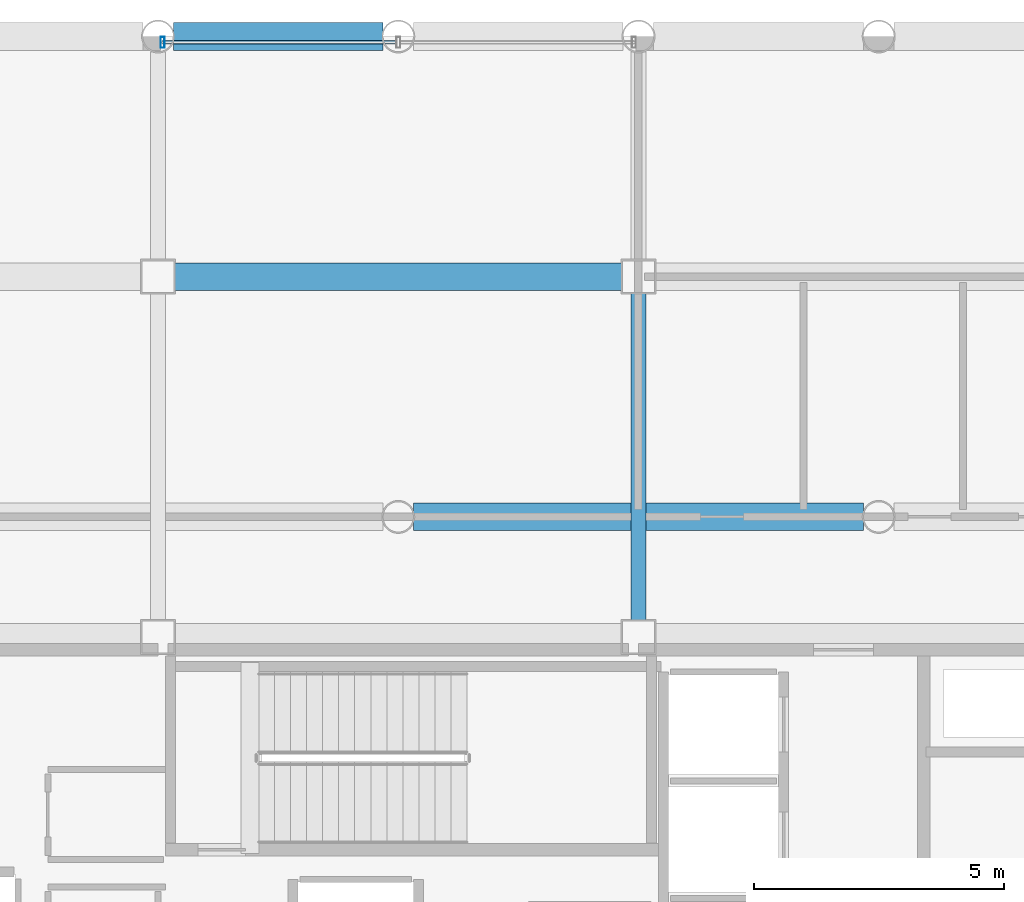
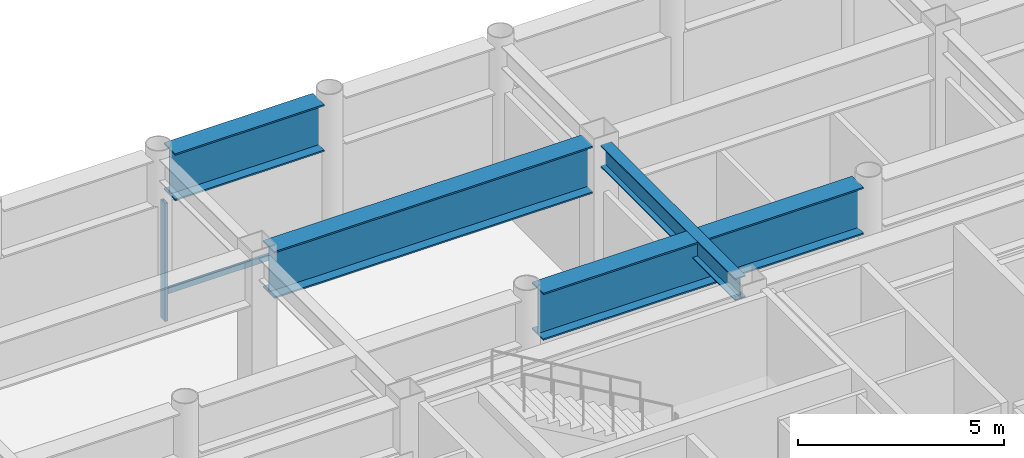
# One storey, part 11 of 20: 4 beams, 2 members, 1 element without a shape of its own.
"""IFC4 building model written with IfcOpenShell, lengths in metres."""

from ifc_helpers import new_model, si_unit, direction, frame, origin, origin_2d, place, context, subcontext, project, spatial, hollow_rectangle, i_section, extrude, material, layer, layer_set, material_profile, profile_set, type_object, element, aggregate, save


model = new_model("IFC4")

# Units and contexts
model_context = context("Model", 3, precision=1e-05, world=origin(), true_north=direction((0.0, 1.0)))
body_context = subcontext(model_context, "Body", "Model", "MODEL_VIEW")
ifc_project = project(units=[si_unit("LENGTHUNIT", "METRE"), si_unit("AREAUNIT", "SQUARE_METRE"), si_unit("VOLUMEUNIT", "CUBIC_METRE"), si_unit("PLANEANGLEUNIT", "RADIAN"), si_unit("MASSUNIT", "GRAM", prefix="KILO")], contexts=[model_context])

# Site, building, storey
site_placement = place(None, origin())
site = spatial("IfcSite", under=ifc_project, at=site_placement, CompositionType="ELEMENT")
building_placement = place(site_placement, origin())
building = spatial("IfcBuilding", under=site, at=building_placement, Name="Kallvorn Hotel Tower", CompositionType="ELEMENT")
storey_placement = place(building_placement, frame((0.0, 0.0, 180.300048828125)))
storey = spatial("IfcBuildingStorey", under=building, at=storey_placement, Name="L45", CompositionType="ELEMENT", Elevation=180.300048828125)

# Beams
ifc_material_1 = material(Name="Structural steel S355JR", Category="steel")
ifc_material_profile_1 = material_profile(ifc_material_1, i_section(OverallWidth=0.300048828125, OverallDepth=0.64990234375, WebThickness=0.01611328125, FlangeThickness=0.031005859375, at=origin_2d()), Name="HE 650 B")
ifc_profile_set_1 = profile_set([ifc_material_profile_1], Name="Structural steel S355JR")
beam_type_1 = type_object("IfcBeamType", Name="BM_HE650B", PredefinedType="BEAM", material=ifc_profile_set_1)
beam_1_placement = place(storey_placement, frame((4.800048828125, 7.52490234375, 4.625), z_axis=(0.0, 1.0, 0.0), x_axis=(-1.0, 0.0, 0.0)))
element("IfcBeam", 1, at=beam_1_placement, inside=storey, type_object=beam_type_1, Name="L46 Primary Y-Girder 117", PredefinedType="BEAM", context=body_context, shape_type="SweptSolid", body=[
    extrude(i_section(OverallWidth=0.300048828125, OverallDepth=0.64990234375, WebThickness=0.01611328125, FlangeThickness=0.031005859375, at=origin_2d()), origin(), (0.0, 0.0, 1.0), 6.550048828125),
])
ifc_material_2 = material(Name="Structural steel S355JR", Category="steel")
ifc_material_profile_2 = material_profile(ifc_material_2, i_section(OverallWidth=0.550048828125, OverallDepth=1.39990234375, WebThickness=0.02490234375, FlangeThickness=0.044921875, at=origin_2d()), Name="PG 1400x550x25x45")
ifc_profile_set_2 = profile_set([ifc_material_profile_2], Name="Structural steel S355JR")
beam_type_2 = type_object("IfcBeamType", Name="BM_PG_1400", PredefinedType="BEAM", material=ifc_profile_set_2)
beam_2_placement = place(storey_placement, frame((0.304931640625, 9.60009765625, 4.25), z_axis=(1.0, 0.0, 0.0), x_axis=(0.0, 1.0, 0.0)))
element("IfcBeam", 2, at=beam_2_placement, inside=storey, type_object=beam_type_2, Name="L46 Primary X-Girder 47", PredefinedType="BEAM", context=body_context, shape_type="SweptSolid", body=[
    extrude(i_section(OverallWidth=0.550048828125, OverallDepth=1.39990234375, WebThickness=0.02490234375, FlangeThickness=0.044921875, at=origin_2d()), origin(), (0.0, 0.0, 1.0), 8.989990234375),
])
beam_3_placement = place(storey_placement, frame((-4.47509765625, 14.39990234375, 4.25), z_axis=(1.0, 0.0, 0.0), x_axis=(0.0, 1.0, 0.0)))
element("IfcBeam", 3, at=beam_3_placement, inside=storey, type_object=beam_type_2, Name="L46 Primary X-Girder 56", PredefinedType="BEAM", context=body_context, shape_type="SweptSolid", body=[
    extrude(i_section(OverallWidth=0.550048828125, OverallDepth=1.39990234375, WebThickness=0.02490234375, FlangeThickness=0.044921875, at=origin_2d()), origin(), (0.0, 0.0, 1.0), 8.9501953125),
])
beam_4_placement = place(storey_placement, frame((-4.4951171875, 19.199951171875, 4.25), z_axis=(1.0, 0.0, 0.0), x_axis=(0.0, 1.0, 0.0)))
element("IfcBeam", 4, at=beam_4_placement, inside=storey, type_object=beam_type_2, Name="L46 Primary X-Girder 66", PredefinedType="BEAM", context=body_context, shape_type="SweptSolid", body=[
    extrude(i_section(OverallWidth=0.550048828125, OverallDepth=1.39990234375, WebThickness=0.02490234375, FlangeThickness=0.044921875, at=origin_2d()), origin(), (0.0, 0.0, 1.0), 4.190185546875),
])

# Curtain wall, members
ifc_material_3 = material(Name="Thermally broken black-anodised aluminium AA 6063-T6", Category="aluminium")
ifc_layer = layer(ifc_material_3, 0.22998046875)
ifc_layer_set = layer_set([ifc_layer], Name="CW_SYS_5_HOTEL_HIGH")
curtain_wall_type = type_object("IfcCurtainWallType", Name="CW_SYS_5_HOTEL_HIGH", PredefinedType="USERDEFINED", material=ifc_layer_set)
curtain_wall_placement = place(storey_placement, origin())
curtain_wall = element("IfcCurtainWall", 5, at=curtain_wall_placement, inside=storey, type_object=curtain_wall_type, Name="L45 Dark-Glass Curtain Wall CW-L45-NC", ObjectType="UNITISED CURTAIN WALL", PredefinedType="USERDEFINED")
ifc_material_4 = material(Name="Thermally broken black-anodised aluminium AA 6063-T6", Category="aluminium")
ifc_material_profile_3 = material_profile(ifc_material_4, hollow_rectangle(XDim=0.080078125, YDim=0.219970703125, WallThickness=0.0048828125, at=origin_2d()), Name="MUL 220x80")
ifc_profile_set_3 = profile_set([ifc_material_profile_3], Name="Thermally broken black-anodised aluminium AA 6063-T6")
member_type_1 = type_object("IfcMemberType", Name="CW_MULLION_220x80", PredefinedType="MULLION", material=ifc_profile_set_3)
member_1_placement = place(storey_placement, frame((-4.7099609375, 19.080078125, 0.02001953125), z_axis=(0.0, 0.0, 1.0), x_axis=(1.0, 0.0, 0.0)))
member_1 = element("IfcMember", 6, at=member_1_placement, type_object=member_type_1, Name="CW-L45-NC Mullion 00", PredefinedType="MULLION", context=body_context, shape_type="SweptSolid", body=[
    extrude(hollow_rectangle(XDim=0.080078125, YDim=0.219970703125, WallThickness=0.0048828125, at=origin_2d()), origin(), (0.0, 0.0, 1.0), 3.510009765625),
])
ifc_material_5 = material(Name="Thermally broken black-anodised aluminium AA 6063-T6", Category="aluminium")
ifc_material_profile_4 = material_profile(ifc_material_5, hollow_rectangle(XDim=0.070068359375, YDim=0.179931640625, WallThickness=0.00390625, at=origin_2d()), Name="TRN 180x70")
ifc_profile_set_4 = profile_set([ifc_material_profile_4], Name="Thermally broken black-anodised aluminium AA 6063-T6")
member_type_2 = type_object("IfcMemberType", Name="CW_TRANSOM_180x70", PredefinedType="USERDEFINED", material=ifc_profile_set_4)
member_2_placement = place(storey_placement, frame((-4.7099609375, 19.080078125, 0.849853515625), z_axis=(1.0, 0.0, 0.0), x_axis=(0.0, 1.0, 0.0)))
member_2 = element("IfcMember", 7, at=member_2_placement, type_object=member_type_2, Name="CW-L45-NC Transom 00M", ObjectType="TRANSOM", PredefinedType="USERDEFINED", context=body_context, shape_type="SweptSolid", body=[
    extrude(hollow_rectangle(XDim=0.070068359375, YDim=0.179931640625, WallThickness=0.00390625, at=origin_2d()), origin(), (0.0, 0.0, 1.0), 4.669921875),
])
aggregate(curtain_wall, [member_1, member_2])

save(model, "model.ifc")
